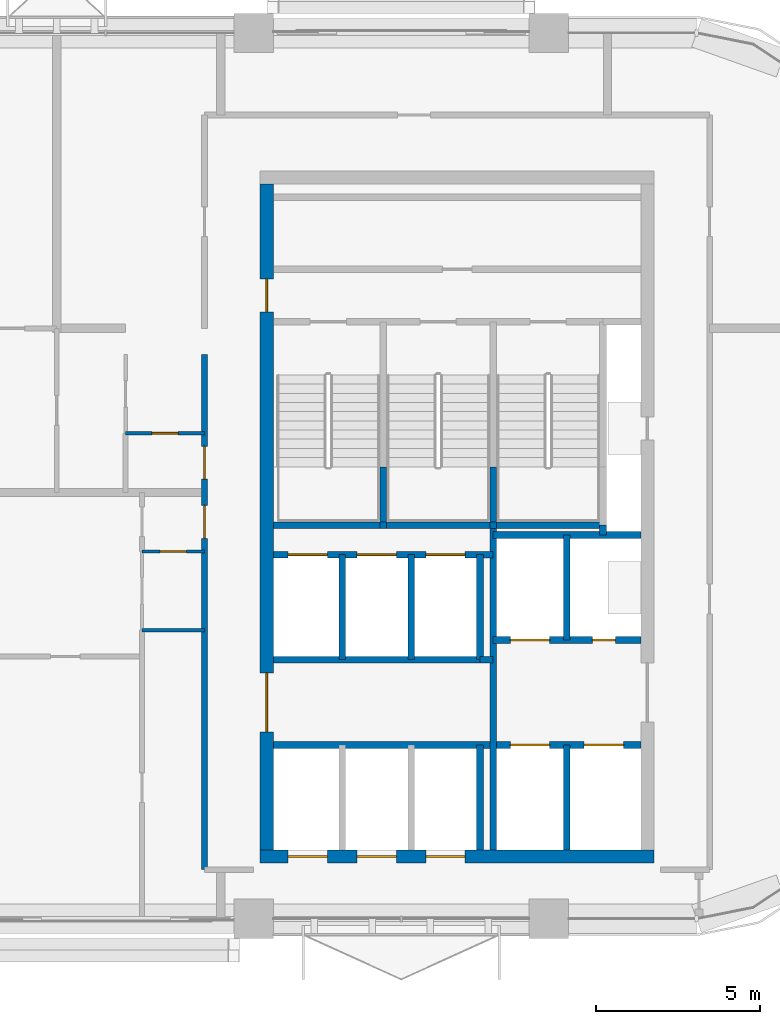
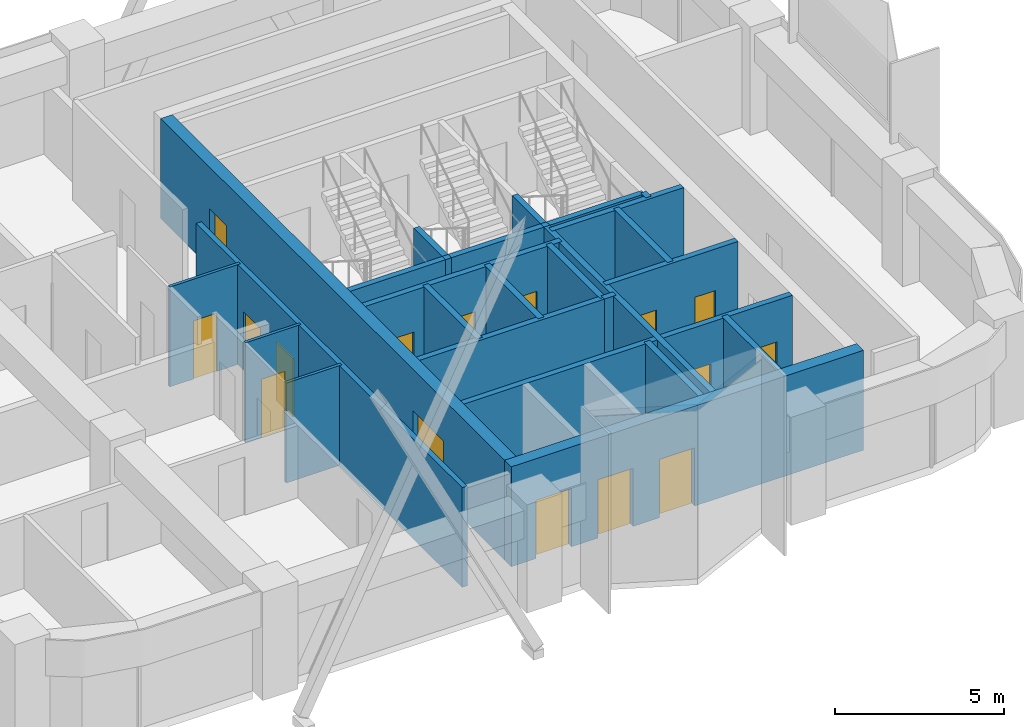
# One storey, part 8 of 11: 27 walls, 16 doors, 16 openings.
"""IFC4 building model written with IfcOpenShell, lengths in metres."""

from ifc_helpers import new_model, si_unit, direction, frame, frame_2d, origin, place, context, subcontext, project, spatial, rectangle, extrude, material, layer, layer_set, type_object, element, fill, save


model = new_model("IFC4")

# Units and contexts
model_context = context("Model", 3, precision=1e-05, world=origin(), true_north=direction((0.0, 1.0)))
body_context = subcontext(model_context, "Body", "Model", "MODEL_VIEW")
ifc_project = project(units=[si_unit("LENGTHUNIT", "METRE"), si_unit("AREAUNIT", "SQUARE_METRE"), si_unit("VOLUMEUNIT", "CUBIC_METRE"), si_unit("PLANEANGLEUNIT", "RADIAN"), si_unit("MASSUNIT", "GRAM", prefix="KILO")], contexts=[model_context])

# Site, building, storey
site_placement = place(None, origin())
site = spatial("IfcSite", under=ifc_project, at=site_placement, CompositionType="ELEMENT")
building_placement = place(site_placement, origin())
building = spatial("IfcBuilding", under=site, at=building_placement, Name="Tessera Arch", CompositionType="ELEMENT")
storey_placement = place(building_placement, frame((0.0, 0.0, 250.10009765625)))
storey = spatial("IfcBuildingStorey", under=building, at=storey_placement, Name="L60", CompositionType="ELEMENT", Elevation=250.10009765625)

# Wall
ifc_material_1 = material(Name="Gypsum board on steel stud", Category="steel")
ifc_layer_1 = layer(ifc_material_1, 0.125)
ifc_layer_set_1 = layer_set([ifc_layer_1], Name="Core partition 125 EI 60")
wall_type_1 = type_object("IfcWallType", Name="Core partition 125 EI 60", PredefinedType="PARTITIONING", material=ifc_layer_set_1)
wall_1_placement = place(storey_placement, frame((42.89990234375, 34.89990234375, 0.0), z_axis=(0.0, 0.0, 1.0), x_axis=(1.0, 0.0, 0.0)))
element("IfcWall", 1, at=wall_1_placement, inside=storey, type_object=wall_type_1, Name="L60 C1 partition wall 18", PredefinedType="PARTITIONING", context=body_context, shape_type="SweptSolid", body=[
    extrude(rectangle(XDim=0.400146484375, YDim=0.199951171875, at=frame_2d((0.2001953125, 0.0))), origin(), (0.0, 0.0, 1.0), 3.599853515625),
])

# Wall, openings, doors
ifc_material_2 = material(Name="Concrete C50/60", Category="concrete")
ifc_layer_2 = layer(ifc_material_2, 0.39990234375)
ifc_layer_set_2 = layer_set([ifc_layer_2], Name="Core shell wall 400 C50-60")
wall_type_2 = type_object("IfcWallType", Name="Core shell wall 400 C50-60", PredefinedType="SHEAR", material=ifc_layer_set_2)
wall_2_placement = place(storey_placement, frame((36.199951171875, 28.89990234375, 0.0), z_axis=(0.0, 0.0, 1.0), x_axis=(1.0, 0.0, 0.0)))
wall_2 = element("IfcWall", 2, at=wall_2_placement, inside=storey, type_object=wall_type_2, Name="L60 C1 core wall S", PredefinedType="SHEAR", context=body_context, shape_type="SweptSolid", body=[
    extrude(rectangle(XDim=12.0, YDim=0.39990234375, at=frame_2d((6.0, 0.0))), origin(), (0.0, 0.0, 1.0), 3.599853515625),
])
opening_1_placement = place(wall_2_placement, frame((0.85009765625, 0.0, 0.0)))
opening_1 = element("IfcOpeningElement", 3, at=opening_1_placement, cuts=wall_2, Name="Opening L60-C01", PredefinedType="OPENING", context=body_context, shape_type="SweptSolid", body=[
    extrude(rectangle(XDim=1.199951171875, YDim=2.10009765625, at=frame_2d((0.60009765625, 1.050048828125))), frame((0.0, 0.2099609375, 0.0), z_axis=(0.0, -1.0, 0.0), x_axis=(1.0, 0.0, 0.0)), (0.0, 0.0, 1.0), 0.419921875),
])
opening_2_placement = place(wall_2_placement, frame((2.949951171875, 0.0, 0.0)))
opening_2 = element("IfcOpeningElement", 4, at=opening_2_placement, cuts=wall_2, Name="Opening L60-C03", PredefinedType="OPENING", context=body_context, shape_type="SweptSolid", body=[
    extrude(rectangle(XDim=1.199951171875, YDim=2.10009765625, at=frame_2d((0.60009765625, 1.050048828125))), frame((0.0, 0.2099609375, 0.0), z_axis=(0.0, -1.0, 0.0), x_axis=(1.0, 0.0, 0.0)), (0.0, 0.0, 1.0), 0.419921875),
])
opening_3_placement = place(wall_2_placement, frame((5.050048828125, 0.0, 0.0)))
opening_3 = element("IfcOpeningElement", 5, at=opening_3_placement, cuts=wall_2, Name="Opening L60-C05", PredefinedType="OPENING", context=body_context, shape_type="SweptSolid", body=[
    extrude(rectangle(XDim=1.199951171875, YDim=2.10009765625, at=frame_2d((0.60009765625, 1.050048828125))), frame((0.0, 0.2099609375, 0.0), z_axis=(0.0, -1.0, 0.0), x_axis=(1.0, 0.0, 0.0)), (0.0, 0.0, 1.0), 0.419921875),
])
ifc_material_3 = material(Name="Stainless steel AISI 304", Category="steel")
door_type_1 = type_object("IfcDoorType", Name="Sliding landing door 1200 x 2100", OperationType="SLIDING_TO_LEFT", PredefinedType="DOOR", material=ifc_material_3)
door_1_placement = place(opening_1_placement, origin())
door_1 = element("IfcDoor", 6, at=door_1_placement, inside=storey, type_object=door_type_1, Name="L60 HR1 lift landing door C01 type LD", OperationType="SLIDING_TO_LEFT", OverallHeight=2.10009765625, OverallWidth=1.199951171875, PredefinedType="DOOR", context=body_context, shape_type="SweptSolid", body=[
    extrude(rectangle(XDim=1.199951171875, YDim=2.10009765625, at=frame_2d((0.60009765625, 1.050048828125))), frame((0.0, 0.02490234375, 0.0), z_axis=(0.0, -1.0, 0.0), x_axis=(1.0, 0.0, 0.0)), (0.0, 0.0, 1.0), 0.050048828125),
])
fill(opening_1, door_1)
door_2_placement = place(opening_2_placement, origin())
door_2 = element("IfcDoor", 7, at=door_2_placement, inside=storey, type_object=door_type_1, Name="L60 HR2 lift landing door C03 type LD", OperationType="SLIDING_TO_LEFT", OverallHeight=2.10009765625, OverallWidth=1.199951171875, PredefinedType="DOOR", context=body_context, shape_type="SweptSolid", body=[
    extrude(rectangle(XDim=1.199951171875, YDim=2.10009765625, at=frame_2d((0.60009765625, 1.050048828125))), frame((0.0, 0.02490234375, 0.0), z_axis=(0.0, -1.0, 0.0), x_axis=(1.0, 0.0, 0.0)), (0.0, 0.0, 1.0), 0.050048828125),
])
fill(opening_2, door_2)
door_3_placement = place(opening_3_placement, origin())
door_3 = element("IfcDoor", 8, at=door_3_placement, inside=storey, type_object=door_type_1, Name="L60 HR3 lift landing door C05 type LD", OperationType="SLIDING_TO_LEFT", OverallHeight=2.10009765625, OverallWidth=1.199951171875, PredefinedType="DOOR", context=body_context, shape_type="SweptSolid", body=[
    extrude(rectangle(XDim=1.199951171875, YDim=2.10009765625, at=frame_2d((0.60009765625, 1.050048828125))), frame((0.0, 0.02490234375, 0.0), z_axis=(0.0, -1.0, 0.0), x_axis=(1.0, 0.0, 0.0)), (0.0, 0.0, 1.0), 0.050048828125),
])
fill(opening_3, door_3)

wall_3_placement = place(storey_placement, frame((36.39990234375, 29.10009765625, 0.0), z_axis=(0.0, 0.0, 1.0), x_axis=(0.0, 1.0, 0.0)))
wall_3 = element("IfcWall", 9, at=wall_3_placement, inside=storey, type_object=wall_type_2, Name="L60 C1 core wall W", PredefinedType="SHEAR", context=body_context, shape_type="SweptSolid", body=[
    extrude(rectangle(XDim=20.2998046875, YDim=0.39990234375, at=frame_2d((10.14990234375, 0.0))), origin(), (0.0, 0.0, 1.0), 3.599853515625),
])
opening_4_placement = place(wall_3_placement, frame((3.60009765625, 0.0, 0.0)))
opening_4 = element("IfcOpeningElement", 10, at=opening_4_placement, cuts=wall_3, Name="Opening L60-C10", PredefinedType="OPENING", context=body_context, shape_type="SweptSolid", body=[
    extrude(rectangle(XDim=1.800048828125, YDim=2.10009765625, at=frame_2d((0.89990234375, 1.050048828125))), frame((0.0, 0.2099609375, 0.0), z_axis=(0.0, -1.0, 0.0), x_axis=(1.0, 0.0, 0.0)), (0.0, 0.0, 1.0), 0.419921875),
])
opening_5_placement = place(wall_3_placement, frame((16.39990234375, 0.0, 0.0)))
opening_5 = element("IfcOpeningElement", 11, at=opening_5_placement, cuts=wall_3, Name="Opening L60-C17", PredefinedType="OPENING", context=body_context, shape_type="SweptSolid", body=[
    extrude(rectangle(XDim=1.0, YDim=2.10009765625, at=frame_2d((0.5, 1.050048828125))), frame((0.0, 0.2099609375, 0.0), z_axis=(0.0, -1.0, 0.0), x_axis=(1.0, 0.0, 0.0)), (0.0, 0.0, 1.0), 0.419921875),
])
ifc_material_4 = material(Name="Steel door leaf", Category="steel")
door_type_2 = type_object("IfcDoorType", Name="Corridor door FD60 1000 x 2100", OperationType="SINGLE_SWING_LEFT", PredefinedType="DOOR", material=ifc_material_4)
door_4_placement = place(opening_5_placement, origin())
door_4 = element("IfcDoor", 12, at=door_4_placement, inside=storey, type_object=door_type_2, Name="L60 C1 door 17 C17 type D12", OperationType="SINGLE_SWING_RIGHT", OverallHeight=2.10009765625, OverallWidth=1.0, PredefinedType="DOOR", context=body_context, shape_type="SweptSolid", body=[
    extrude(rectangle(XDim=1.0, YDim=2.10009765625, at=frame_2d((0.5, 1.050048828125))), frame((0.0, 0.02490234375, 0.0), z_axis=(0.0, -1.0, 0.0), x_axis=(1.0, 0.0, 0.0)), (0.0, 0.0, 1.0), 0.050048828125),
])
fill(opening_5, door_4)
ifc_material_5 = material(Name="Glazed steel door leaf", Category="steel")
door_type_3 = type_object("IfcDoorType", Name="Lobby double door FD30S 1800 x 2100", OperationType="DOUBLE_DOOR_SINGLE_SWING", PredefinedType="DOOR", material=ifc_material_5)
door_5_placement = place(opening_4_placement, origin())
door_5 = element("IfcDoor", 13, at=door_5_placement, inside=storey, type_object=door_type_3, Name="L60 C1 door 10 C10 type D06", OperationType="DOUBLE_DOOR_SINGLE_SWING", OverallHeight=2.10009765625, OverallWidth=1.800048828125, PredefinedType="DOOR", context=body_context, shape_type="SweptSolid", body=[
    extrude(rectangle(XDim=1.800048828125, YDim=2.10009765625, at=frame_2d((0.89990234375, 1.050048828125))), frame((0.0, 0.02490234375, 0.0), z_axis=(0.0, -1.0, 0.0), x_axis=(1.0, 0.0, 0.0)), (0.0, 0.0, 1.0), 0.050048828125),
])
fill(opening_4, door_5)

ifc_material_6 = material(Name="Gypsum board on deep steel stud with mineral wool", Category="steel")
ifc_layer_3 = layer(ifc_material_6, 0.175048828125)
ifc_layer_set_3 = layer_set([ifc_layer_3], Name="Corridor wall 175 EI 60")
wall_type_3 = type_object("IfcWallType", Name="Corridor wall 175 EI 60", PredefinedType="PARTITIONING", material=ifc_layer_set_3)
wall_4_placement = place(storey_placement, frame((34.5, 28.5, 0.0), z_axis=(0.0, 0.0, 1.0), x_axis=(0.0, 1.0, 0.0)))
wall_4 = element("IfcWall", 14, at=wall_4_placement, inside=storey, type_object=wall_type_3, Name="L60 partition 4", PredefinedType="PARTITIONING", context=body_context, shape_type="SweptSolid", body=[
    extrude(rectangle(XDim=15.699951171875, YDim=0.175048828125, at=frame_2d((7.85009765625, 0.0))), origin(), (0.0, 0.0, 1.0), 3.599853515625),
])
opening_6_placement = place(wall_4_placement, frame((10.10009765625, 0.0, 0.0)))
opening_6 = element("IfcOpeningElement", 15, at=opening_6_placement, cuts=wall_4, Name="Opening L60-D001", PredefinedType="OPENING", context=body_context, shape_type="SweptSolid", body=[
    extrude(rectangle(XDim=1.0, YDim=2.10009765625, at=frame_2d((0.5, 1.050048828125))), frame((0.0, 0.097412109375, 0.0), z_axis=(0.0, -1.0, 0.0), x_axis=(1.0, 0.0, 0.0)), (0.0, 0.0, 1.0), 0.195068359375),
])
opening_7_placement = place(wall_4_placement, frame((11.89990234375, 0.0, 0.0)))
opening_7 = element("IfcOpeningElement", 16, at=opening_7_placement, cuts=wall_4, Name="Opening L60-D010", PredefinedType="OPENING", context=body_context, shape_type="SweptSolid", body=[
    extrude(rectangle(XDim=1.0, YDim=2.10009765625, at=frame_2d((0.5, 1.050048828125))), frame((0.0, 0.097412109375, 0.0), z_axis=(0.0, -1.0, 0.0), x_axis=(1.0, 0.0, 0.0)), (0.0, 0.0, 1.0), 0.195068359375),
])
ifc_material_7 = material(Name="Fire-rated door leaf")
door_type_4 = type_object("IfcDoorType", Name="Entrance door FD30S 1000 x 2100", OperationType="SINGLE_SWING_LEFT", PredefinedType="DOOR", material=ifc_material_7)
door_6_placement = place(opening_6_placement, origin())
door_6 = element("IfcDoor", 17, at=door_6_placement, inside=storey, type_object=door_type_4, Name="L60 door D001 type D03", OperationType="SINGLE_SWING_RIGHT", OverallHeight=2.10009765625, OverallWidth=1.0, PredefinedType="DOOR", context=body_context, shape_type="SweptSolid", body=[
    extrude(rectangle(XDim=1.0, YDim=2.10009765625, at=frame_2d((0.5, 1.050048828125))), frame((0.0, 0.02490234375, 0.0), z_axis=(0.0, -1.0, 0.0), x_axis=(1.0, 0.0, 0.0)), (0.0, 0.0, 1.0), 0.050048828125),
])
fill(opening_6, door_6)
door_7_placement = place(opening_7_placement, origin())
door_7 = element("IfcDoor", 18, at=door_7_placement, inside=storey, type_object=door_type_4, Name="L60 door D010 type D03", OperationType="SINGLE_SWING_RIGHT", OverallHeight=2.10009765625, OverallWidth=1.0, PredefinedType="DOOR", context=body_context, shape_type="SweptSolid", body=[
    extrude(rectangle(XDim=1.0, YDim=2.10009765625, at=frame_2d((0.5, 1.050048828125))), frame((0.0, 0.02490234375, 0.0), z_axis=(0.0, -1.0, 0.0), x_axis=(1.0, 0.0, 0.0)), (0.0, 0.0, 1.0), 0.050048828125),
])
fill(opening_7, door_7)

# Walls
ifc_material_8 = material(Name="Concrete C40/50", Category="concrete")
ifc_layer_4 = layer(ifc_material_8, 0.199951171875)
ifc_layer_set_4 = layer_set([ifc_layer_4], Name="Shaft wall 200 EI 120")
wall_type_4 = type_object("IfcWallType", Name="Shaft wall 200 EI 120", PredefinedType="SOLIDWALL", material=ifc_layer_set_4)
for number, where, z_axis, x_axis, name in (
    (19, (38.699951171875, 34.89990234375, 0.0), (0.0, 0.0, 1.0), (0.0, 1.0, 0.0), "L60 C1 shaft wall 2"),
    (20, (40.800048828125, 34.89990234375, 0.0), (0.0, 0.0, 1.0), (0.0, 1.0, 0.0), "L60 C1 shaft wall 6"),
):
    element("IfcWall", number, at=place(storey_placement, frame(where, z_axis=z_axis, x_axis=x_axis)), inside=storey, type_object=wall_type_4, Name=name, PredefinedType="SOLIDWALL", context=body_context, shape_type="SweptSolid", body=[
        extrude(rectangle(XDim=3.2001953125, YDim=0.199951171875, at=frame_2d((1.60009765625, 0.0))), origin(), (0.0, 0.0, 1.0), 3.599853515625),
    ])
wall_5_placement = place(storey_placement, frame((42.89990234375, 29.10009765625, 0.0), z_axis=(0.0, 0.0, 1.0), x_axis=(0.0, 1.0, 0.0)))
element("IfcWall", 21, at=wall_5_placement, inside=storey, type_object=wall_type_4, Name="L60 C1 shaft wall 7", PredefinedType="SOLIDWALL", context=body_context, shape_type="SweptSolid", body=[
    extrude(rectangle(XDim=3.199951171875, YDim=0.199951171875, at=frame_2d((1.60009765625, 0.0))), origin(), (0.0, 0.0, 1.0), 3.599853515625),
])
wall_6_placement = place(storey_placement, frame((42.89990234375, 34.89990234375, 0.0), z_axis=(0.0, 0.0, 1.0), x_axis=(0.0, 1.0, 0.0)))
element("IfcWall", 22, at=wall_6_placement, inside=storey, type_object=wall_type_4, Name="L60 C1 shaft wall 8", PredefinedType="SOLIDWALL", context=body_context, shape_type="SweptSolid", body=[
    extrude(rectangle(XDim=3.2001953125, YDim=0.199951171875, at=frame_2d((1.60009765625, 0.0))), origin(), (0.0, 0.0, 1.0), 3.599853515625),
])
wall_7_placement = place(storey_placement, frame((43.300048828125, 29.10009765625, 0.0), z_axis=(0.0, 0.0, 1.0), x_axis=(0.0, 1.0, 0.0)))
element("IfcWall", 23, at=wall_7_placement, inside=storey, type_object=wall_type_4, Name="L60 C1 shaft wall 9", PredefinedType="SOLIDWALL", context=body_context, shape_type="SweptSolid", body=[
    extrude(rectangle(XDim=9.89990234375, YDim=0.199951171875, at=frame_2d((4.949951171875, 0.0))), origin(), (0.0, 0.0, 1.0), 3.599853515625),
])
for number, where, z_axis, x_axis, name in (
    (24, (45.550048828125, 29.10009765625, 0.0), (0.0, 0.0, 1.0), (0.0, 1.0, 0.0), "L60 C1 shaft wall 12"),
    (25, (45.550048828125, 35.5, 0.0), (0.0, 0.0, 1.0), (0.0, 1.0, 0.0), "L60 C1 shaft wall 13"),
):
    element("IfcWall", number, at=place(storey_placement, frame(where, z_axis=z_axis, x_axis=x_axis)), inside=storey, type_object=wall_type_4, Name=name, PredefinedType="SOLIDWALL", context=body_context, shape_type="SweptSolid", body=[
        extrude(rectangle(XDim=3.199951171875, YDim=0.199951171875, at=frame_2d((1.60009765625, 0.0))), origin(), (0.0, 0.0, 1.0), 3.599853515625),
    ])
wall_8_placement = place(storey_placement, frame((46.64990234375, 38.699951171875, 0.0), z_axis=(0.0, 0.0, 1.0), x_axis=(0.0, 1.0, 0.0)))
element("IfcWall", 26, at=wall_8_placement, inside=storey, type_object=wall_type_4, Name="L60 C1 shaft wall 14", PredefinedType="SOLIDWALL", context=body_context, shape_type="SweptSolid", body=[
    extrude(rectangle(XDim=0.300048828125, YDim=0.199951171875, at=frame_2d((0.14990234375, 0.0))), origin(), (0.0, 0.0, 1.0), 3.599853515625),
])

# Wall, openings, doors
wall_9_placement = place(storey_placement, frame((36.60009765625, 32.300048828125, 0.0), z_axis=(0.0, 0.0, 1.0), x_axis=(1.0, 0.0, 0.0)))
wall_9 = element("IfcWall", 27, at=wall_9_placement, inside=storey, type_object=wall_type_4, Name="L60 C1 shaft wall 17", PredefinedType="SOLIDWALL", context=body_context, shape_type="SweptSolid", body=[
    extrude(rectangle(XDim=11.199951171875, YDim=0.199951171875, at=frame_2d((5.60009765625, 0.0))), origin(), (0.0, 0.0, 1.0), 3.599853515625),
])
opening_8_placement = place(wall_9_placement, frame((7.22509765625, 0.0, 0.0)))
opening_8 = element("IfcOpeningElement", 28, at=opening_8_placement, cuts=wall_9, Name="Opening L60-C07", PredefinedType="OPENING", context=body_context, shape_type="SweptSolid", body=[
    extrude(rectangle(XDim=1.199951171875, YDim=2.10009765625, at=frame_2d((0.60009765625, 1.050048828125))), frame((0.0, 0.10986328125, 0.0), z_axis=(0.0, -1.0, 0.0), x_axis=(1.0, 0.0, 0.0)), (0.0, 0.0, 1.0), 0.219970703125),
])
opening_9_placement = place(wall_9_placement, frame((9.47509765625, 0.0, 0.0)))
opening_9 = element("IfcOpeningElement", 29, at=opening_9_placement, cuts=wall_9, Name="Opening L60-C08", PredefinedType="OPENING", context=body_context, shape_type="SweptSolid", body=[
    extrude(rectangle(XDim=1.199951171875, YDim=2.10009765625, at=frame_2d((0.60009765625, 1.050048828125))), frame((0.0, 0.10986328125, 0.0), z_axis=(0.0, -1.0, 0.0), x_axis=(1.0, 0.0, 0.0)), (0.0, 0.0, 1.0), 0.219970703125),
])
door_8_placement = place(opening_8_placement, origin())
door_8 = element("IfcDoor", 30, at=door_8_placement, inside=storey, type_object=door_type_1, Name="L60 FF1 lift landing door C07 type LD", OperationType="SLIDING_TO_LEFT", OverallHeight=2.10009765625, OverallWidth=1.199951171875, PredefinedType="DOOR", context=body_context, shape_type="SweptSolid", body=[
    extrude(rectangle(XDim=1.199951171875, YDim=2.10009765625, at=frame_2d((0.60009765625, 1.050048828125))), frame((0.0, 0.02490234375, 0.0), z_axis=(0.0, -1.0, 0.0), x_axis=(1.0, 0.0, 0.0)), (0.0, 0.0, 1.0), 0.050048828125),
])
fill(opening_8, door_8)
door_9_placement = place(opening_9_placement, origin())
door_9 = element("IfcDoor", 31, at=door_9_placement, inside=storey, type_object=door_type_1, Name="L60 FF2 lift landing door C08 type LD", OperationType="SLIDING_TO_LEFT", OverallHeight=2.10009765625, OverallWidth=1.199951171875, PredefinedType="DOOR", context=body_context, shape_type="SweptSolid", body=[
    extrude(rectangle(XDim=1.199951171875, YDim=2.10009765625, at=frame_2d((0.60009765625, 1.050048828125))), frame((0.0, 0.02490234375, 0.0), z_axis=(0.0, -1.0, 0.0), x_axis=(1.0, 0.0, 0.0)), (0.0, 0.0, 1.0), 0.050048828125),
])
fill(opening_9, door_9)

# Wall
wall_10_placement = place(storey_placement, frame((36.60009765625, 34.89990234375, 0.0), z_axis=(0.0, 0.0, 1.0), x_axis=(1.0, 0.0, 0.0)))
element("IfcWall", 32, at=wall_10_placement, inside=storey, type_object=wall_type_4, Name="L60 C1 shaft wall 19", PredefinedType="SOLIDWALL", context=body_context, shape_type="SweptSolid", body=[
    extrude(rectangle(XDim=6.2998046875, YDim=0.199951171875, at=frame_2d((3.14990234375, 0.0))), origin(), (0.0, 0.0, 1.0), 3.599853515625),
])

# Wall, openings, doors
wall_11_placement = place(storey_placement, frame((43.300048828125, 35.5, 0.0), z_axis=(0.0, 0.0, 1.0), x_axis=(1.0, 0.0, 0.0)))
wall_11 = element("IfcWall", 33, at=wall_11_placement, inside=storey, type_object=wall_type_4, Name="L60 C1 shaft wall 20", PredefinedType="SOLIDWALL", context=body_context, shape_type="SweptSolid", body=[
    extrude(rectangle(XDim=4.5, YDim=0.199951171875, at=frame_2d((2.25, 0.0))), origin(), (0.0, 0.0, 1.0), 3.599853515625),
])
opening_10_placement = place(wall_11_placement, frame((0.52490234375, 0.0, 0.0)))
opening_10 = element("IfcOpeningElement", 34, at=opening_10_placement, cuts=wall_11, Name="Opening L60-C09", PredefinedType="OPENING", context=body_context, shape_type="SweptSolid", body=[
    extrude(rectangle(XDim=1.199951171875, YDim=2.10009765625, at=frame_2d((0.60009765625, 1.050048828125))), frame((0.0, 0.10986328125, 0.0), z_axis=(0.0, -1.0, 0.0), x_axis=(1.0, 0.0, 0.0)), (0.0, 0.0, 1.0), 0.219970703125),
])
opening_11_placement = place(wall_11_placement, frame((3.02490234375, 0.0, 0.0)))
opening_11 = element("IfcOpeningElement", 35, at=opening_11_placement, cuts=wall_11, Name="Opening L60-C16", PredefinedType="OPENING", context=body_context, shape_type="SweptSolid", body=[
    extrude(rectangle(XDim=0.699951171875, YDim=2.10009765625, at=frame_2d((0.35009765625, 1.050048828125))), frame((0.0, 0.10986328125, 0.0), z_axis=(0.0, -1.0, 0.0), x_axis=(1.0, 0.0, 0.0)), (0.0, 0.0, 1.0), 0.219970703125),
])
ifc_material_9 = material(Name="Steel door leaf", Category="steel")
door_type_5 = type_object("IfcDoorType", Name="Service shaft door FD60 700 x 2100", OperationType="SINGLE_SWING_LEFT", PredefinedType="DOOR", material=ifc_material_9)
door_10_placement = place(opening_11_placement, origin())
door_10 = element("IfcDoor", 36, at=door_10_placement, inside=storey, type_object=door_type_5, Name="L60 C1 door 16 C16 type D07", OperationType="SINGLE_SWING_RIGHT", OverallHeight=2.10009765625, OverallWidth=0.699951171875, PredefinedType="DOOR", context=body_context, shape_type="SweptSolid", body=[
    extrude(rectangle(XDim=0.699951171875, YDim=2.10009765625, at=frame_2d((0.35009765625, 1.050048828125))), frame((0.0, 0.02490234375, 0.0), z_axis=(0.0, -1.0, 0.0), x_axis=(1.0, 0.0, 0.0)), (0.0, 0.0, 1.0), 0.050048828125),
])
fill(opening_11, door_10)
door_11_placement = place(opening_10_placement, origin())
door_11 = element("IfcDoor", 37, at=door_11_placement, inside=storey, type_object=door_type_1, Name="L60 SV2 lift landing door C09 type LD", OperationType="SLIDING_TO_LEFT", OverallHeight=2.10009765625, OverallWidth=1.199951171875, PredefinedType="DOOR", context=body_context, shape_type="SweptSolid", body=[
    extrude(rectangle(XDim=1.199951171875, YDim=2.10009765625, at=frame_2d((0.60009765625, 1.050048828125))), frame((0.0, 0.02490234375, 0.0), z_axis=(0.0, -1.0, 0.0), x_axis=(1.0, 0.0, 0.0)), (0.0, 0.0, 1.0), 0.050048828125),
])
fill(opening_10, door_11)

wall_12_placement = place(storey_placement, frame((36.60009765625, 38.10009765625, 0.0), z_axis=(0.0, 0.0, 1.0), x_axis=(1.0, 0.0, 0.0)))
wall_12 = element("IfcWall", 38, at=wall_12_placement, inside=storey, type_object=wall_type_4, Name="L60 C1 shaft wall 21", PredefinedType="SOLIDWALL", context=body_context, shape_type="SweptSolid", body=[
    extrude(rectangle(XDim=6.699951171875, YDim=0.199951171875, at=frame_2d((3.35009765625, 0.0))), origin(), (0.0, 0.0, 1.0), 3.599853515625),
])
opening_12_placement = place(wall_12_placement, frame((0.449951171875, 0.0, 0.0)))
opening_12 = element("IfcOpeningElement", 39, at=opening_12_placement, cuts=wall_12, Name="Opening L60-C02", PredefinedType="OPENING", context=body_context, shape_type="SweptSolid", body=[
    extrude(rectangle(XDim=1.199951171875, YDim=2.10009765625, at=frame_2d((0.60009765625, 1.050048828125))), frame((0.0, 0.10986328125, 0.0), z_axis=(0.0, -1.0, 0.0), x_axis=(1.0, 0.0, 0.0)), (0.0, 0.0, 1.0), 0.219970703125),
])
opening_13_placement = place(wall_12_placement, frame((2.550048828125, 0.0, 0.0)))
opening_13 = element("IfcOpeningElement", 40, at=opening_13_placement, cuts=wall_12, Name="Opening L60-C04", PredefinedType="OPENING", context=body_context, shape_type="SweptSolid", body=[
    extrude(rectangle(XDim=1.199951171875, YDim=2.10009765625, at=frame_2d((0.60009765625, 1.050048828125))), frame((0.0, 0.10986328125, 0.0), z_axis=(0.0, -1.0, 0.0), x_axis=(1.0, 0.0, 0.0)), (0.0, 0.0, 1.0), 0.219970703125),
])
opening_14_placement = place(wall_12_placement, frame((4.64990234375, 0.0, 0.0)))
opening_14 = element("IfcOpeningElement", 41, at=opening_14_placement, cuts=wall_12, Name="Opening L60-C06", PredefinedType="OPENING", context=body_context, shape_type="SweptSolid", body=[
    extrude(rectangle(XDim=1.199951171875, YDim=2.10009765625, at=frame_2d((0.60009765625, 1.050048828125))), frame((0.0, 0.10986328125, 0.0), z_axis=(0.0, -1.0, 0.0), x_axis=(1.0, 0.0, 0.0)), (0.0, 0.0, 1.0), 0.219970703125),
])
door_12_placement = place(opening_12_placement, origin())
door_12 = element("IfcDoor", 42, at=door_12_placement, inside=storey, type_object=door_type_1, Name="L60 HR4 lift landing door C02 type LD", OperationType="SLIDING_TO_LEFT", OverallHeight=2.10009765625, OverallWidth=1.199951171875, PredefinedType="DOOR", context=body_context, shape_type="SweptSolid", body=[
    extrude(rectangle(XDim=1.199951171875, YDim=2.10009765625, at=frame_2d((0.60009765625, 1.050048828125))), frame((0.0, 0.02490234375, 0.0), z_axis=(0.0, -1.0, 0.0), x_axis=(1.0, 0.0, 0.0)), (0.0, 0.0, 1.0), 0.050048828125),
])
fill(opening_12, door_12)
door_13_placement = place(opening_13_placement, origin())
door_13 = element("IfcDoor", 43, at=door_13_placement, inside=storey, type_object=door_type_1, Name="L60 HR5 lift landing door C04 type LD", OperationType="SLIDING_TO_LEFT", OverallHeight=2.10009765625, OverallWidth=1.199951171875, PredefinedType="DOOR", context=body_context, shape_type="SweptSolid", body=[
    extrude(rectangle(XDim=1.199951171875, YDim=2.10009765625, at=frame_2d((0.60009765625, 1.050048828125))), frame((0.0, 0.02490234375, 0.0), z_axis=(0.0, -1.0, 0.0), x_axis=(1.0, 0.0, 0.0)), (0.0, 0.0, 1.0), 0.050048828125),
])
fill(opening_13, door_13)
door_14_placement = place(opening_14_placement, origin())
door_14 = element("IfcDoor", 44, at=door_14_placement, inside=storey, type_object=door_type_1, Name="L60 HR6 lift landing door C06 type LD", OperationType="SLIDING_TO_LEFT", OverallHeight=2.10009765625, OverallWidth=1.199951171875, PredefinedType="DOOR", context=body_context, shape_type="SweptSolid", body=[
    extrude(rectangle(XDim=1.199951171875, YDim=2.10009765625, at=frame_2d((0.60009765625, 1.050048828125))), frame((0.0, 0.02490234375, 0.0), z_axis=(0.0, -1.0, 0.0), x_axis=(1.0, 0.0, 0.0)), (0.0, 0.0, 1.0), 0.050048828125),
])
fill(opening_14, door_14)

# Walls
wall_13_placement = place(storey_placement, frame((43.300048828125, 38.699951171875, 0.0), z_axis=(0.0, 0.0, 1.0), x_axis=(1.0, 0.0, 0.0)))
element("IfcWall", 45, at=wall_13_placement, inside=storey, type_object=wall_type_4, Name="L60 C1 shaft wall 22", PredefinedType="SOLIDWALL", context=body_context, shape_type="SweptSolid", body=[
    extrude(rectangle(XDim=4.5, YDim=0.199951171875, at=frame_2d((2.25, 0.0))), origin(), (0.0, 0.0, 1.0), 3.599853515625),
])
ifc_material_10 = material(Name="Concrete C40/50", Category="concrete")
ifc_layer_5 = layer(ifc_material_10, 0.199951171875)
ifc_layer_set_5 = layer_set([ifc_layer_5], Name="Stair well wall 200 REI 180")
wall_type_5 = type_object("IfcWallType", Name="Stair well wall 200 REI 180", PredefinedType="SOLIDWALL", material=ifc_layer_set_5)
for number, where, z_axis, x_axis, name in (
    (46, (39.949951171875, 39.0, 0.0), (0.0, 0.0, 1.0), (0.0, 1.0, 0.0), "L60 C1 shaft wall 3"),
    (47, (43.300048828125, 39.0, 0.0), (0.0, 0.0, 1.0), (0.0, 1.0, 0.0), "L60 C1 shaft wall 10"),
):
    element("IfcWall", number, at=place(storey_placement, frame(where, z_axis=z_axis, x_axis=x_axis)), inside=storey, type_object=wall_type_5, Name=name, PredefinedType="SOLIDWALL", context=body_context, shape_type="SweptSolid", body=[
        extrude(rectangle(XDim=1.780029296875, YDim=0.199951171875, at=frame_2d((0.89013671875, 0.0))), origin(), (0.0, 0.0, 1.0), 3.599853515625),
    ])
wall_14_placement = place(storey_placement, frame((36.60009765625, 39.0, 0.0), z_axis=(0.0, 0.0, 1.0), x_axis=(1.0, 0.0, 0.0)))
element("IfcWall", 48, at=wall_14_placement, inside=storey, type_object=wall_type_5, Name="L60 C1 shaft wall 23", PredefinedType="SOLIDWALL", context=body_context, shape_type="SweptSolid", body=[
    extrude(rectangle(XDim=3.25, YDim=0.199951171875, at=frame_2d((1.625, 0.0))), origin(), (0.0, 0.0, 1.0), 3.599853515625),
])
wall_15_placement = place(storey_placement, frame((39.85009765625, 39.0, 0.0), z_axis=(0.0, 0.0, 1.0), x_axis=(1.0, 0.0, 0.0)))
element("IfcWall", 49, at=wall_15_placement, inside=storey, type_object=wall_type_5, Name="L60 C1 shaft wall 24", PredefinedType="SOLIDWALL", context=body_context, shape_type="SweptSolid", body=[
    extrude(rectangle(XDim=0.199951171875, YDim=0.199951171875, at=frame_2d((0.10009765625, 0.0))), origin(), (0.0, 0.0, 1.0), 3.599853515625),
])
wall_16_placement = place(storey_placement, frame((40.050048828125, 39.0, 0.0), z_axis=(0.0, 0.0, 1.0), x_axis=(1.0, 0.0, 0.0)))
element("IfcWall", 50, at=wall_16_placement, inside=storey, type_object=wall_type_5, Name="L60 C1 shaft wall 25", PredefinedType="SOLIDWALL", context=body_context, shape_type="SweptSolid", body=[
    extrude(rectangle(XDim=3.14990234375, YDim=0.199951171875, at=frame_2d((1.574951171875, 0.0))), origin(), (0.0, 0.0, 1.0), 3.599853515625),
])
wall_17_placement = place(storey_placement, frame((43.199951171875, 39.0, 0.0), z_axis=(0.0, 0.0, 1.0), x_axis=(1.0, 0.0, 0.0)))
element("IfcWall", 51, at=wall_17_placement, inside=storey, type_object=wall_type_5, Name="L60 C1 shaft wall 26", PredefinedType="SOLIDWALL", context=body_context, shape_type="SweptSolid", body=[
    extrude(rectangle(XDim=0.199951171875, YDim=0.199951171875, at=frame_2d((0.10009765625, 0.0))), origin(), (0.0, 0.0, 1.0), 3.599853515625),
])
wall_18_placement = place(storey_placement, frame((43.39990234375, 39.0, 0.0), z_axis=(0.0, 0.0, 1.0), x_axis=(1.0, 0.0, 0.0)))
element("IfcWall", 52, at=wall_18_placement, inside=storey, type_object=wall_type_5, Name="L60 C1 shaft wall 27", PredefinedType="SOLIDWALL", context=body_context, shape_type="SweptSolid", body=[
    extrude(rectangle(XDim=3.25, YDim=0.199951171875, at=frame_2d((1.625, 0.0))), origin(), (0.0, 0.0, 1.0), 3.599853515625),
])
ifc_material_11 = material(Name="Moisture-resistant board on pre-plumbed steel stud", Category="steel")
ifc_layer_6 = layer(ifc_material_11, 0.10009765625)
ifc_layer_set_6 = layer_set([ifc_layer_6], Name="Wet wall 100")
wall_type_6 = type_object("IfcWallType", Name="Wet wall 100", PredefinedType="PARTITIONING", material=ifc_layer_set_6)
wall_19_placement = place(storey_placement, frame((32.60009765625, 35.800048828125, 0.0), z_axis=(0.0, 0.0, 1.0), x_axis=(1.0, 0.0, 0.0)))
element("IfcWall", 53, at=wall_19_placement, inside=storey, type_object=wall_type_6, Name="L60 partition 25", PredefinedType="PARTITIONING", context=body_context, shape_type="SweptSolid", body=[
    extrude(rectangle(XDim=1.89990234375, YDim=0.10009765625, at=frame_2d((0.949951171875, 0.0))), origin(), (0.0, 0.0, 1.0), 3.599853515625),
])

# Wall, opening, door
wall_20_placement = place(storey_placement, frame((32.60009765625, 38.199951171875, 0.0), z_axis=(0.0, 0.0, 1.0), x_axis=(1.0, 0.0, 0.0)))
wall_20 = element("IfcWall", 54, at=wall_20_placement, inside=storey, type_object=wall_type_6, Name="L60 partition 26", PredefinedType="PARTITIONING", context=body_context, shape_type="SweptSolid", body=[
    extrude(rectangle(XDim=1.89990234375, YDim=0.10009765625, at=frame_2d((0.949951171875, 0.0))), origin(), (0.0, 0.0, 1.0), 3.599853515625),
])
opening_15_placement = place(wall_20_placement, frame((0.550048828125, 0.0, 0.0)))
opening_15 = element("IfcOpeningElement", 55, at=opening_15_placement, cuts=wall_20, Name="Opening L60-D003", PredefinedType="OPENING", context=body_context, shape_type="SweptSolid", body=[
    extrude(rectangle(XDim=0.800048828125, YDim=2.10009765625, at=frame_2d((0.39990234375, 1.050048828125))), frame((0.0, 0.06005859375, 0.0), z_axis=(0.0, -1.0, 0.0), x_axis=(1.0, 0.0, 0.0)), (0.0, 0.0, 1.0), 0.1201171875),
])
ifc_material_12 = material(Name="Timber door leaf", Category="wood")
door_type_6 = type_object("IfcDoorType", Name="En-suite door 800 x 2100", OperationType="SINGLE_SWING_LEFT", PredefinedType="DOOR", material=ifc_material_12)
door_15_placement = place(opening_15_placement, origin())
door_15 = element("IfcDoor", 56, at=door_15_placement, inside=storey, type_object=door_type_6, Name="L60 door D003 type D02", OperationType="SINGLE_SWING_LEFT", OverallHeight=2.10009765625, OverallWidth=0.800048828125, PredefinedType="DOOR", context=body_context, shape_type="SweptSolid", body=[
    extrude(rectangle(XDim=0.800048828125, YDim=2.10009765625, at=frame_2d((0.39990234375, 1.050048828125))), frame((0.0, 0.02490234375, 0.0), z_axis=(0.0, -1.0, 0.0), x_axis=(1.0, 0.0, 0.0)), (0.0, 0.0, 1.0), 0.050048828125),
])
fill(opening_15, door_15)

wall_21_placement = place(storey_placement, frame((32.10009765625, 41.800048828125, 0.0), z_axis=(0.0, 0.0, 1.0), x_axis=(1.0, 0.0, 0.0)))
wall_21 = element("IfcWall", 57, at=wall_21_placement, inside=storey, type_object=wall_type_6, Name="L60 partition 27", PredefinedType="PARTITIONING", context=body_context, shape_type="SweptSolid", body=[
    extrude(rectangle(XDim=2.39990234375, YDim=0.10009765625, at=frame_2d((1.199951171875, 0.0))), origin(), (0.0, 0.0, 1.0), 3.599853515625),
])
opening_16_placement = place(wall_21_placement, frame((0.800048828125, 0.0, 0.0)))
opening_16 = element("IfcOpeningElement", 58, at=opening_16_placement, cuts=wall_21, Name="Opening L60-D011", PredefinedType="OPENING", context=body_context, shape_type="SweptSolid", body=[
    extrude(rectangle(XDim=0.800048828125, YDim=2.10009765625, at=frame_2d((0.39990234375, 1.050048828125))), frame((0.0, 0.06005859375, 0.0), z_axis=(0.0, -1.0, 0.0), x_axis=(1.0, 0.0, 0.0)), (0.0, 0.0, 1.0), 0.1201171875),
])
door_16_placement = place(opening_16_placement, origin())
door_16 = element("IfcDoor", 59, at=door_16_placement, inside=storey, type_object=door_type_6, Name="L60 door D011 type D02", OperationType="SINGLE_SWING_RIGHT", OverallHeight=2.10009765625, OverallWidth=0.800048828125, PredefinedType="DOOR", context=body_context, shape_type="SweptSolid", body=[
    extrude(rectangle(XDim=0.800048828125, YDim=2.10009765625, at=frame_2d((0.39990234375, 1.050048828125))), frame((0.0, 0.02490234375, 0.0), z_axis=(0.0, -1.0, 0.0), x_axis=(1.0, 0.0, 0.0)), (0.0, 0.0, 1.0), 0.050048828125),
])
fill(opening_16, door_16)

save(model, "model.ifc")
